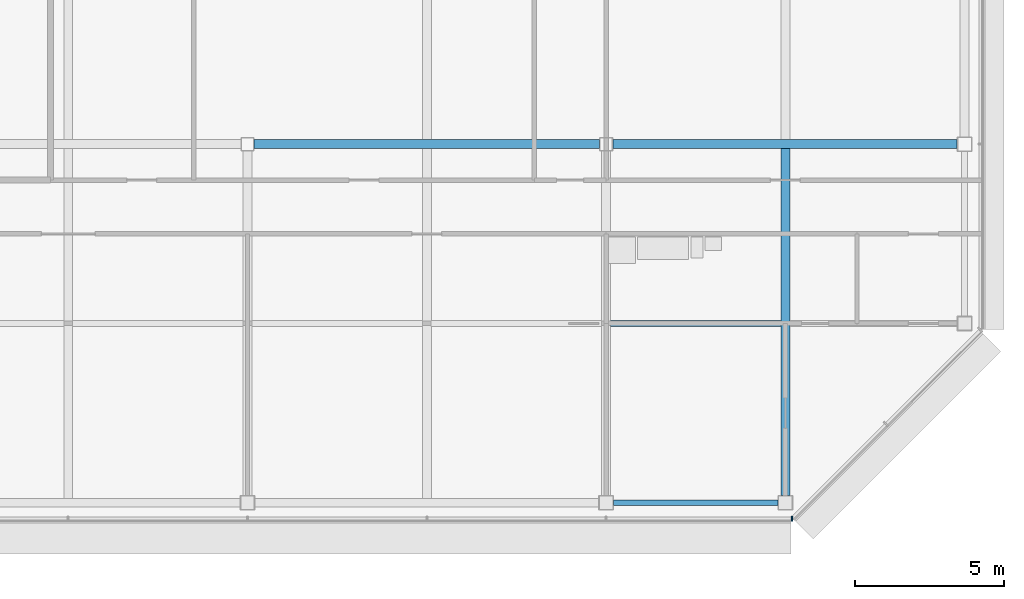
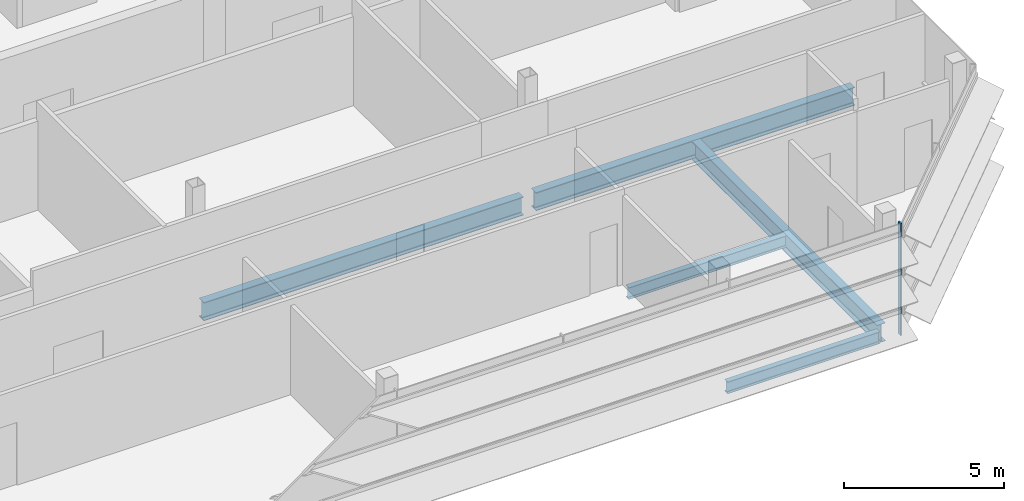
# One storey, part 11 of 29: 5 beams, 1 member, 1 element without a shape of its own.
"""IFC4 building model written with IfcOpenShell, lengths in metres."""

import ifcopenshell
import ifcopenshell.guid

model = None  # the IFC model being written
_history = None  # IfcOwnerHistory: only IFC2X3 demands one
_inside = {}  # id of a spatial element -> (the spatial element, [elements in it])
_under = {}  # id of a project, library or spatial element -> (it, [spatial elements below it])
_declared = {}  # id of a project -> (the project, [libraries it declares])
_typed = {}  # id of a type object -> (the type object, [elements of that type])
_made_of = {}  # id of a material, layer set ... -> (it, [elements and type objects made of it])


def new_model(schema):
    """Start an empty IFC model of exactly this schema.

    Asked for "IFC4X3", IfcOpenShell would pick the latest addendum, in which some entities
    have other attributes; the version numbers below select the first issue.
    IFC2X3 requires an IfcOwnerHistory on every rooted entity: one is made here for all.
    """
    global model, _history
    if schema == "IFC4X3":
        model = ifcopenshell.file(schema_version=(4, 3, 0, 0))
    else:
        model = ifcopenshell.file(schema=schema)
    _inside.clear()
    _under.clear()
    _declared.clear()
    _typed.clear()
    _made_of.clear()
    _history = None
    if model.schema == "IFC2X3":
        org = make("IfcOrganization", Name="unknown")
        user = make(
            "IfcPersonAndOrganization",
            ThePerson=make("IfcPerson", FamilyName="unknown"),
            TheOrganization=org,
        )
        app = make(
            "IfcApplication",
            ApplicationDeveloper=org,
            Version="unknown",
            ApplicationFullName="unknown",
            ApplicationIdentifier="unknown",
        )
        _history = make(
            "IfcOwnerHistory",
            OwningUser=user,
            OwningApplication=app,
            ChangeAction="ADDED",
            CreationDate=0,
        )
    return model


def make(cls, **values):
    """One entity of the class cls with the attributes given. An attribute that is None is left unset."""
    return model.create_entity(
        cls, **{name: value for name, value in values.items() if value is not None}
    )


def rooted(cls, **values):
    """An entity with a GlobalId (a new one), such as an element, a storey or a relation."""
    return make(cls, GlobalId=ifcopenshell.guid.new(), OwnerHistory=_history, **values)


def si_unit(unit_type, name, prefix=None):
    """IfcSIUnit, for example si_unit("LENGTHUNIT", "METRE", prefix="MILLI")."""
    return make("IfcSIUnit", UnitType=unit_type, Prefix=prefix, Name=name)


def assignment(units):
    """IfcUnitAssignment: the units of a project."""
    return None if units is None else make("IfcUnitAssignment", Units=units)


def point(xyz):
    """IfcCartesianPoint."""
    return None if xyz is None else make("IfcCartesianPoint", Coordinates=xyz)


def direction(xyz):
    """IfcDirection."""
    return None if xyz is None else make("IfcDirection", DirectionRatios=xyz)


def frame(location, z_axis=None, x_axis=None):
    """IfcAxis2Placement3D, a coordinate frame: its origin and axes. An axis left out is left unset."""
    return make(
        "IfcAxis2Placement3D",
        Location=point(location),
        Axis=direction(z_axis),
        RefDirection=direction(x_axis),
    )


def frame_2d(location, x_axis=None):
    """IfcAxis2Placement2D, a coordinate frame in the plane: its origin and x axis."""
    return make(
        "IfcAxis2Placement2D", Location=point(location), RefDirection=direction(x_axis)
    )


def origin():
    """The frame at (0, 0, 0) with its axes left unset."""
    return frame((0.0, 0.0, 0.0))


def origin_2d():
    """The frame at (0, 0) in the plane with its x axis left unset."""
    return frame_2d((0.0, 0.0))


def place(relative_to, where):
    """IfcLocalPlacement: puts the frame where relative to a parent placement (None: the world)."""
    return make(
        "IfcLocalPlacement", PlacementRelTo=relative_to, RelativePlacement=where
    )


def context(
    kind, dimensions, precision=None, world=None, true_north=None, identifier=None
):
    """IfcGeometricRepresentationContext, for example the 3D "Model" context."""
    return make(
        "IfcGeometricRepresentationContext",
        ContextIdentifier=identifier,
        ContextType=kind,
        CoordinateSpaceDimension=dimensions,
        Precision=precision,
        WorldCoordinateSystem=world,
        TrueNorth=true_north,
    )


def subcontext(parent, identifier, kind, view, scale=None):
    """IfcGeometricRepresentationSubContext, for example "Body" below "Model"."""
    return make(
        "IfcGeometricRepresentationSubContext",
        ContextIdentifier=identifier,
        ContextType=kind,
        ParentContext=parent,
        TargetScale=scale,
        TargetView=view,
    )


def project(units=None, contexts=None):
    """IfcProject with its units and contexts."""
    return rooted(
        "IfcProject",
        Name="project",
        RepresentationContexts=contexts,
        UnitsInContext=assignment(units),
    )


def spatial(cls, under=None, at=None, **own):
    """A site, building, storey or space (cls), placed at a placement, below another one or the project."""
    s = rooted(cls, ObjectPlacement=at, **own)
    if under is not None:
        _under.setdefault(under.id(), (under, []))[1].append(s)
    return s


def profile(cls, at=None, kind="AREA", **sizes):
    """A parametric profile (cls). Its sizes go by their IFC names, for example OverallWidth=200.0."""
    return make(cls, ProfileType=kind, Position=at, **sizes)


def rectangle(**sizes):
    """IfcRectangleProfileDef."""
    return profile("IfcRectangleProfileDef", **sizes)


def i_section(**sizes):
    """IfcIShapeProfileDef."""
    return profile("IfcIShapeProfileDef", **sizes)


def extrude(swept, where, along, depth):
    """IfcExtrudedAreaSolid: the profile swept, set in the frame where, extruded along a direction by depth."""
    return make(
        "IfcExtrudedAreaSolid",
        SweptArea=swept,
        Position=where,
        ExtrudedDirection=direction(along),
        Depth=depth,
    )


def shape(context_of_items, identifier, shape_type, items):
    """IfcShapeRepresentation: the items that make up one representation, for example the "Body"."""
    return make(
        "IfcShapeRepresentation",
        ContextOfItems=context_of_items,
        RepresentationIdentifier=identifier,
        RepresentationType=shape_type,
        Items=items,
    )


def material(Name=None, Category=None):
    """IfcMaterial."""
    return make("IfcMaterial", Name=Name, Category=Category)


def material_profile(
    of_material, cross_section, Name=None, Category=None, Priority=None
):
    """IfcMaterialProfile: a cross section and its material."""
    return make(
        "IfcMaterialProfile",
        Name=Name,
        Material=of_material,
        Profile=cross_section,
        Priority=Priority,
        Category=Category,
    )


def profile_set(profiles, Name=None, composite=None):
    """IfcMaterialProfileSet."""
    return make(
        "IfcMaterialProfileSet",
        Name=Name,
        MaterialProfiles=profiles,
        CompositeProfile=composite,
    )


def made_of(thing, what):
    """Note that an element or type object is made of a material, layer set ...; save() writes the relation."""
    if what is not None:
        _made_of.setdefault(what.id(), (what, []))[1].append(thing)
    return thing


def type_object(cls, material=None, **own):
    """A type object (cls), such as IfcWallType, which elements share."""
    return made_of(rooted(cls, **own), material)


def element(
    cls,
    number,
    at=None,
    inside=None,
    cuts=None,
    type_object=None,
    material=None,
    context=None,
    identifier="Body",
    shape_type=None,
    held_by="IfcProductDefinitionShape",
    body=None,
    shapes=None,
    **own,
):
    """One element of the class cls, such as IfcWall. Its Tag is "e" and its number.

    at: its placement. inside: the storey or other place that contains it. cuts: it is an
    opening in that element (IfcRelVoidsElement). A single representation is given by context,
    identifier, shape_type and body (its items); several are given by shapes. held_by: the class
    of the entity that holds the representations. save() writes the other relations.
    """
    e = rooted(cls, Tag="e%d" % number, ObjectPlacement=at, **own)
    if body is not None:
        shapes = [shape(context, identifier, shape_type, body)]
    if shapes is not None:
        e.Representation = make(held_by, Representations=shapes)
    if inside is not None:
        _inside.setdefault(inside.id(), (inside, []))[1].append(e)
    if cuts is not None:
        rooted(
            "IfcRelVoidsElement", RelatingBuildingElement=cuts, RelatedOpeningElement=e
        )
    if type_object is not None:
        _typed.setdefault(type_object.id(), (type_object, []))[1].append(e)
    return made_of(e, material)


def aggregate(whole, parts):
    """IfcRelAggregates: a whole, such as a stair, and the parts it consists of."""
    return rooted("IfcRelAggregates", RelatingObject=whole, RelatedObjects=parts)


def save(model, path):
    """Write the relations noted so far, then the file.

    IfcRelAggregates (storeys below a building ...), IfcRelContainedInSpatialStructure (elements
    in a storey), IfcRelDefinesByType, IfcRelAssociatesMaterial and IfcRelDeclares: one each for
    every whole, place, type object, material and project.
    """
    for whole, parts in _under.values():
        aggregate(whole, parts)
    for where, things in _inside.values():
        rooted(
            "IfcRelContainedInSpatialStructure",
            RelatedElements=things,
            RelatingStructure=where,
        )
    for kind, things in _typed.values():
        rooted("IfcRelDefinesByType", RelatedObjects=things, RelatingType=kind)
    for what, things in _made_of.values():
        rooted("IfcRelAssociatesMaterial", RelatedObjects=things, RelatingMaterial=what)
    for by, libraries in _declared.values():
        rooted("IfcRelDeclares", RelatingContext=by, RelatedDefinitions=libraries)
    model.write(path)


model = new_model("IFC4")

# Units and contexts
model_context = context("Model", 3, precision=1e-05, world=origin(), true_north=direction((0.0, 1.0)))
body_context = subcontext(model_context, "Body", "Model", "MODEL_VIEW")
ifc_project = project(units=[si_unit("LENGTHUNIT", "METRE"), si_unit("AREAUNIT", "SQUARE_METRE"), si_unit("VOLUMEUNIT", "CUBIC_METRE"), si_unit("PLANEANGLEUNIT", "RADIAN"), si_unit("MASSUNIT", "GRAM", prefix="KILO")], contexts=[model_context])

# Site, building, storey
site_placement = place(None, origin())
site = spatial("IfcSite", under=ifc_project, at=site_placement, CompositionType="ELEMENT")
building_placement = place(site_placement, origin())
building = spatial("IfcBuilding", under=site, at=building_placement, Name="Sorahane Residences", CompositionType="ELEMENT")
storey_placement = place(building_placement, frame((0.0, 0.0, 326.800048828125)))
storey = spatial("IfcBuildingStorey", under=building, at=storey_placement, Name="L78", CompositionType="ELEMENT", Elevation=326.800048828125)

# Curtain wall, member
ifc_material_1 = material(Name="Dark low-e glass and black anodised aluminium", Category="aluminium")
curtain_wall_type = type_object("IfcCurtainWallType", Name="Curtain wall CW-1 Typical unitised wall", PredefinedType="NOTDEFINED", material=ifc_material_1)
curtain_wall_placement = place(storey_placement, origin())
curtain_wall = element("IfcCurtainWall", 1, at=curtain_wall_placement, inside=storey, type_object=curtain_wall_type, Name="CW-1 curtain wall L78 S1", PredefinedType="NOTDEFINED")
ifc_material_2 = material(Name="Black anodised aluminium", Category="aluminium")
ifc_material_profile_1 = material_profile(ifc_material_2, rectangle(XDim=0.159912109375, YDim=0.050048828125, at=origin_2d()), Name="Curtain wall mullion CW-1 black anodised aluminium 50x160")
ifc_profile_set_1 = profile_set([ifc_material_profile_1], Name="Black anodised aluminium")
member_type = type_object("IfcMemberType", Name="Curtain wall mullion CW-1 black anodised aluminium 50x160", PredefinedType="MULLION", material=ifc_profile_set_1)
member_placement = place(storey_placement, frame((42.2236328125, -0.5400390625, -0.179931640625), z_axis=(0.0, 0.0, 1.0), x_axis=(0.0, -1.0, 0.0)))
member = element("IfcMember", 2, at=member_placement, type_object=member_type, Name="CW-1 mullion L78 S1.10", PredefinedType="MULLION", context=body_context, shape_type="SweptSolid", body=[
    extrude(rectangle(XDim=0.159912109375, YDim=0.050048828125, at=origin_2d()), origin(), (0.0, 0.0, 1.0), 4.27978515625),
])
aggregate(curtain_wall, [member])

# Beams
ifc_material_3 = material(Name="Steel Q355B", Category="steel")
ifc_material_profile_2 = material_profile(ifc_material_3, i_section(OverallWidth=0.199951171875, OverallDepth=0.449951171875, WebThickness=0.009033203125, FlangeThickness=0.013916015625, FilletRadius=0.02001953125, at=origin_2d()), Name="HN 450x200x9x14")
ifc_profile_set_2 = profile_set([ifc_material_profile_2], Name="Steel Q355B")
beam_type_1 = type_object("IfcBeamType", Name="Steel floor beam HN 450x200x9x14 Q355B", PredefinedType="BEAM", material=ifc_profile_set_2)
beam_1_placement = place(storey_placement, frame((36.25, 0.0, -0.405029296875), z_axis=(1.0, 0.0, 0.0), x_axis=(0.0, 1.0, 0.0)))
element("IfcBeam", 3, at=beam_1_placement, inside=storey, type_object=beam_type_1, Name="Beam L78 004", PredefinedType="BEAM", context=body_context, shape_type="SweptSolid", body=[
    extrude(i_section(OverallWidth=0.199951171875, OverallDepth=0.449951171875, WebThickness=0.009033203125, FlangeThickness=0.013916015625, FilletRadius=0.02001953125, at=origin_2d()), origin(), (0.0, 0.0, 1.0), 5.5),
])
beam_2_placement = place(storey_placement, frame((36.14990234375, 6.0, -0.405029296875), z_axis=(1.0, 0.0, 0.0), x_axis=(0.0, 1.0, 0.0)))
element("IfcBeam", 4, at=beam_2_placement, inside=storey, type_object=beam_type_1, Name="Beam L78 074", PredefinedType="BEAM", context=body_context, shape_type="SweptSolid", body=[
    extrude(i_section(OverallWidth=0.199951171875, OverallDepth=0.449951171875, WebThickness=0.009033203125, FlangeThickness=0.013916015625, FilletRadius=0.02001953125, at=origin_2d()), origin(), (0.0, 0.0, 1.0), 5.7001953125),
])
ifc_material_4 = material(Name="Steel Q355B", Category="steel")
ifc_material_profile_3 = material_profile(ifc_material_4, i_section(OverallWidth=0.300048828125, OverallDepth=0.699951171875, WebThickness=0.012939453125, FlangeThickness=0.02392578125, FilletRadius=0.028076171875, at=origin_2d()), Name="HN 700x300x13x24")
ifc_profile_set_3 = profile_set([ifc_material_profile_3], Name="Steel Q355B")
beam_type_2 = type_object("IfcBeamType", Name="Steel floor beam HN 700x300x13x24 Q355B", PredefinedType="BEAM", material=ifc_profile_set_3)
beam_3_placement = place(storey_placement, frame((24.22509765625, 12.0, -0.530029296875), z_axis=(1.0, 0.0, 0.0), x_axis=(0.0, 1.0, 0.0)))
element("IfcBeam", 5, at=beam_3_placement, inside=storey, type_object=beam_type_2, Name="Beam L78 009", PredefinedType="BEAM", context=body_context, shape_type="SweptSolid", body=[
    extrude(i_section(OverallWidth=0.300048828125, OverallDepth=0.699951171875, WebThickness=0.012939453125, FlangeThickness=0.02392578125, FilletRadius=0.028076171875, at=origin_2d()), origin(), (0.0, 0.0, 1.0), 11.5498046875),
])
beam_4_placement = place(storey_placement, frame((36.22509765625, 12.0, -0.530029296875), z_axis=(1.0, 0.0, 0.0), x_axis=(0.0, 1.0, 0.0)))
element("IfcBeam", 6, at=beam_4_placement, inside=storey, type_object=beam_type_2, Name="Beam L78 010", PredefinedType="BEAM", context=body_context, shape_type="SweptSolid", body=[
    extrude(i_section(OverallWidth=0.300048828125, OverallDepth=0.699951171875, WebThickness=0.012939453125, FlangeThickness=0.02392578125, FilletRadius=0.028076171875, at=origin_2d()), origin(), (0.0, 0.0, 1.0), 11.52490234375),
])
beam_5_placement = place(storey_placement, frame((42.0, 0.25, -0.530029296875), z_axis=(0.0, 1.0, 0.0), x_axis=(-1.0, 0.0, 0.0)))
element("IfcBeam", 7, at=beam_5_placement, inside=storey, type_object=beam_type_2, Name="Beam L78 056", PredefinedType="BEAM", context=body_context, shape_type="SweptSolid", body=[
    extrude(i_section(OverallWidth=0.300048828125, OverallDepth=0.699951171875, WebThickness=0.012939453125, FlangeThickness=0.02392578125, FilletRadius=0.028076171875, at=origin_2d()), origin(), (0.0, 0.0, 1.0), 11.60009765625),
])

save(model, "model.ifc")
